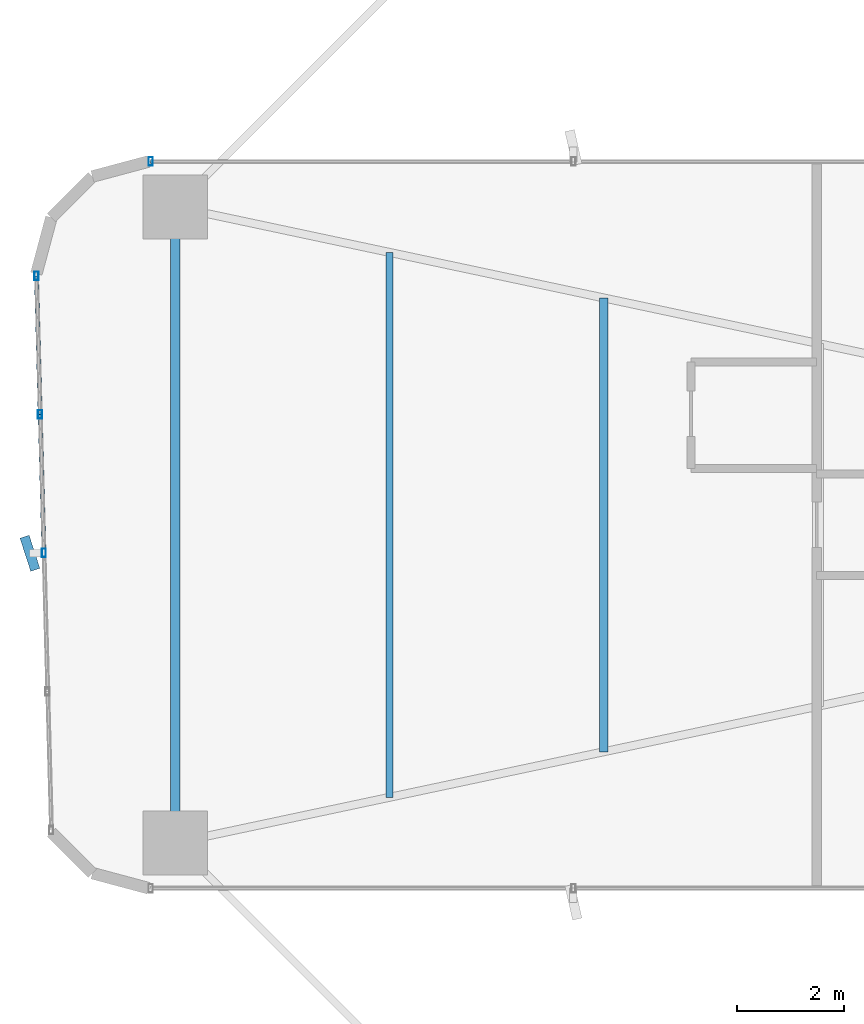
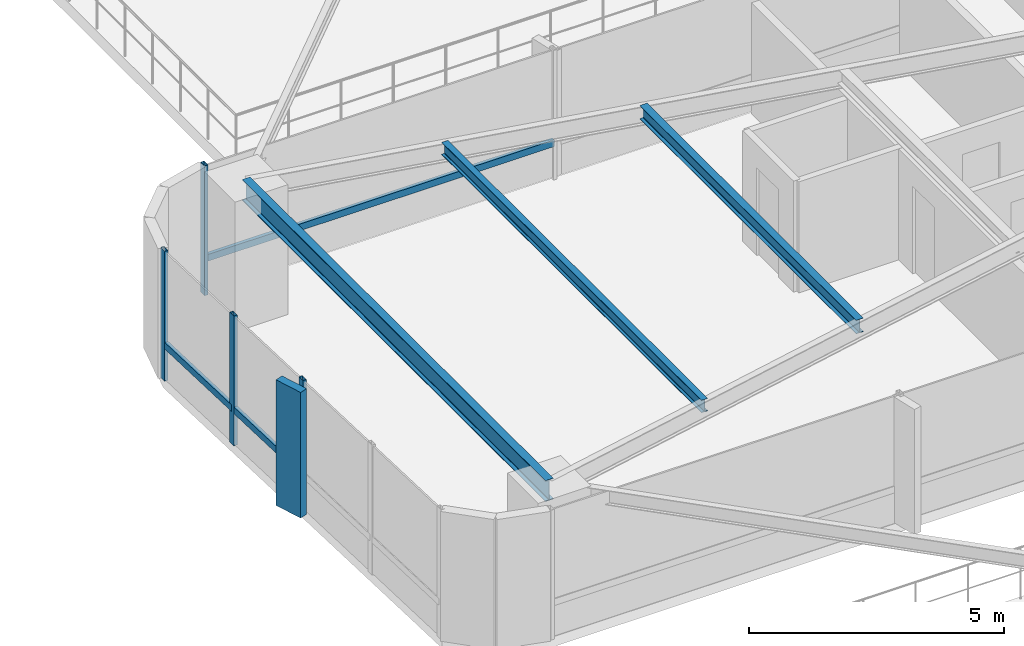
# One storey, part 7 of 27: 8 members, 3 beams, 2 elements without a shape of their own.
"""IFC4 building model written with IfcOpenShell, lengths in metres."""

from ifc_helpers import new_model, si_unit, direction, frame, origin, origin_2d, place, context, subcontext, project, spatial, rectangle, hollow_rectangle, i_section, extrude, source, transform, mapped, material, material_profile, profile_set, type_object, element, aggregate, save


model = new_model("IFC4")

# Units and contexts
model_context = context("Model", 3, precision=1e-05, world=origin(), true_north=direction((0.0, 1.0)))
body_context = subcontext(model_context, "Body", "Model", "MODEL_VIEW")
ifc_project = project(units=[si_unit("LENGTHUNIT", "METRE"), si_unit("AREAUNIT", "SQUARE_METRE"), si_unit("VOLUMEUNIT", "CUBIC_METRE"), si_unit("PLANEANGLEUNIT", "RADIAN"), si_unit("MASSUNIT", "GRAM", prefix="KILO")], contexts=[model_context])

# Site, building, storey
site_placement = place(None, origin())
site = spatial("IfcSite", under=ifc_project, at=site_placement, CompositionType="ELEMENT")
building_placement = place(site_placement, origin())
building = spatial("IfcBuilding", under=site, at=building_placement, Name="Sahyath Konkavel Grand Hotel", CompositionType="ELEMENT")
storey_placement = place(building_placement, frame((0.0, 0.0, 23.10009765625)))
storey = spatial("IfcBuildingStorey", under=building, at=storey_placement, Name="L05", CompositionType="ELEMENT", Elevation=23.10009765625)

# Beams
ifc_material_1 = material(Name="Steel E350", Category="steel")
ifc_material_profile_1 = material_profile(ifc_material_1, i_section(OverallWidth=0.179931640625, OverallDepth=0.5, WebThickness=0.01025390625, FlangeThickness=0.01708984375, FilletRadius=0.01708984375, at=origin_2d()), Name="ISMB 500")
ifc_profile_set_1 = profile_set([ifc_material_profile_1], Name="Steel E350")
beam_type_1 = type_object("IfcBeamType", Name="BM-ISMB500", PredefinedType="BEAM", material=ifc_profile_set_1)
shared_shape_1 = source(origin(), body_context, "Body", "SweptSolid", [
    extrude(i_section(OverallWidth=0.179931640625, OverallDepth=0.5, WebThickness=0.01025390625, FlangeThickness=0.01708984375, FilletRadius=0.01708984375, at=origin_2d()), origin(), (0.0, 0.0, 1.0), 11.89990234375),
])
beam_1_placement = place(storey_placement, frame((-22.199951171875, 5.949951171875, 2.85986328125), z_axis=(0.0, -1.0, 0.0), x_axis=(1.0, 0.0, 0.0)))
element("IfcBeam", 1, at=beam_1_placement, inside=storey, type_object=beam_type_1, Name="L05 Wing Tip Edge Beam W", PredefinedType="BEAM", context=body_context, shape_type="MappedRepresentation", body=[
    mapped(shared_shape_1, transform((0.0, 0.0, 0.0), scale=1.0)),
])
ifc_material_profile_2 = material_profile(ifc_material_1, i_section(OverallWidth=0.1650390625, OverallDepth=0.324951171875, WebThickness=0.007080078125, FlangeThickness=0.009765625, FilletRadius=0.014892578125, at=origin_2d()), Name="ISLB 325")
ifc_profile_set_2 = profile_set([ifc_material_profile_2], Name="Steel E350")
beam_type_2 = type_object("IfcBeamType", Name="BM-ISLB325", PredefinedType="BEAM", material=ifc_profile_set_2)
shared_shape_2 = source(origin(), body_context, "Body", "SweptSolid", [
    extrude(i_section(OverallWidth=0.1650390625, OverallDepth=0.324951171875, WebThickness=0.007080078125, FlangeThickness=0.009765625, FilletRadius=0.014892578125, at=origin_2d()), origin(), (0.0, 0.0, 1.0), 8.4921875),
])
beam_2_placement = place(storey_placement, frame((-14.18408203125, 4.24609375, 2.947509765625), z_axis=(0.0, -1.0, 0.0), x_axis=(1.0, 0.0, 0.0)))
element("IfcBeam", 2, at=beam_2_placement, inside=storey, type_object=beam_type_2, Name="L05 Secondary Floor Beam W-2", PredefinedType="BEAM", context=body_context, shape_type="MappedRepresentation", body=[
    mapped(shared_shape_2, transform((0.0, 0.0, 0.0), scale=1.0)),
])
ifc_material_profile_3 = material_profile(ifc_material_1, i_section(OverallWidth=0.139892578125, OverallDepth=0.300048828125, WebThickness=0.0078125, FlangeThickness=0.01318359375, FilletRadius=0.013916015625, at=origin_2d()), Name="ISMB 300")
ifc_profile_set_3 = profile_set([ifc_material_profile_3], Name="Steel E350")
beam_type_3 = type_object("IfcBeamType", Name="BM-ISMB300", PredefinedType="BEAM", material=ifc_profile_set_3)
shared_shape_3 = source(origin(), body_context, "Body", "SweptSolid", [
    extrude(i_section(OverallWidth=0.139892578125, OverallDepth=0.300048828125, WebThickness=0.0078125, FlangeThickness=0.01318359375, FilletRadius=0.013916015625, at=origin_2d()), origin(), (0.0, 0.0, 1.0), 10.19580078125),
])
beam_3_placement = place(storey_placement, frame((-18.19189453125, 5.097900390625, 2.9599609375), z_axis=(0.0, -1.0, 0.0), x_axis=(1.0, 0.0, 0.0)))
element("IfcBeam", 3, at=beam_3_placement, inside=storey, type_object=beam_type_3, Name="L05 Secondary Floor Beam W-3", PredefinedType="BEAM", context=body_context, shape_type="MappedRepresentation", body=[
    mapped(shared_shape_3, transform((0.0, 0.0, 0.0), scale=1.0)),
])

# Curtain wall, member
ifc_material_2 = material(Name="Anodised Bronze Aluminium & Low-E Glazing", Category="aluminium")
curtain_wall_type = type_object("IfcCurtainWallType", Name="CW-ZONE1", PredefinedType="NOTDEFINED", material=ifc_material_2)
curtain_wall_1_placement = place(storey_placement, origin())
curtain_wall_1 = element("IfcCurtainWall", 4, at=curtain_wall_1_placement, inside=storey, type_object=curtain_wall_type, Name="L05 Unitised Curtain Wall F16", PredefinedType="NOTDEFINED")
ifc_material_3 = material(Name="Anodised Bronze Aluminium", Category="aluminium")
ifc_material_profile_4 = material_profile(ifc_material_3, hollow_rectangle(XDim=0.080078125, YDim=0.159912109375, WallThickness=0.006103515625, at=origin_2d()), Name="RHS 160x80x6")
ifc_profile_set_4 = profile_set([ifc_material_profile_4], Name="Anodised Bronze Aluminium")
member_type_1 = type_object("IfcMemberType", Name="CW-MUL-160", PredefinedType="MULLION", material=ifc_profile_set_4)
shared_shape_4 = source(origin(), body_context, "Body", "SweptSolid", [
    extrude(hollow_rectangle(XDim=0.080078125, YDim=0.159912109375, WallThickness=0.006103515625, at=origin_2d()), origin(), (0.0, 0.0, 1.0), 3.10986328125),
])
member_1_placement = place(storey_placement, frame((-22.659912109375, 6.800048828125, 0.0), z_axis=(0.0, 0.0, 1.0), x_axis=(1.0, 0.0, 0.0)))
member_1 = element("IfcMember", 5, at=member_1_placement, type_object=member_type_1, Name="L05 Curtain Wall Mullion F16-2", PredefinedType="MULLION", context=body_context, shape_type="MappedRepresentation", body=[
    mapped(shared_shape_4, transform((0.0, 0.0, 0.0), scale=1.0)),
])

# Curtain wall, members
curtain_wall_2_placement = place(storey_placement, origin())
curtain_wall_2 = element("IfcCurtainWall", 6, at=curtain_wall_2_placement, inside=storey, type_object=curtain_wall_type, Name="L05 Unitised Curtain Wall F20", PredefinedType="NOTDEFINED")
member_2_placement = place(storey_placement, frame((-24.798828125, 4.659912109375, 0.0), z_axis=(0.0, 0.0, 1.0), x_axis=(1.0, 0.0, 0.0)))
member_2 = element("IfcMember", 7, at=member_2_placement, type_object=member_type_1, Name="L05 Curtain Wall Mullion F20-0", PredefinedType="MULLION", context=body_context, shape_type="MappedRepresentation", body=[
    mapped(shared_shape_4, transform((0.0, 0.0, 0.0), scale=1.0)),
])
member_3_placement = place(storey_placement, frame((-24.72900390625, 2.0673828125, 0.0), z_axis=(0.0, 0.0, 1.0), x_axis=(1.0, 0.0, 0.0)))
member_3 = element("IfcMember", 8, at=member_3_placement, type_object=member_type_1, Name="L05 Curtain Wall Mullion F20-1", PredefinedType="MULLION", context=body_context, shape_type="MappedRepresentation", body=[
    mapped(shared_shape_4, transform((0.0, 0.0, 0.0), scale=1.0)),
])
member_4_placement = place(storey_placement, frame((-24.6591796875, -0.52490234375, 0.0), z_axis=(0.0, 0.0, 1.0), x_axis=(1.0, 0.0, 0.0)))
member_4 = element("IfcMember", 9, at=member_4_placement, type_object=member_type_1, Name="L05 Curtain Wall Mullion F20-2", PredefinedType="MULLION", context=body_context, shape_type="MappedRepresentation", body=[
    mapped(shared_shape_4, transform((0.0, 0.0, 0.0), scale=1.0)),
])
ifc_material_4 = material(Name="Warm Buff Sandstone Cladding on Concrete C50/60", Category="masonry")
ifc_material_profile_5 = material_profile(ifc_material_4, rectangle(XDim=0.179931640625, YDim=0.64990234375, at=origin_2d()), Name="FIN 180x650")
ifc_profile_set_5 = profile_set([ifc_material_profile_5], Name="Warm Buff Sandstone Cladding on Concrete C50/60")
member_type_2 = type_object("IfcMemberType", Name="FIN-SANDSTONE-650", PredefinedType="MULLION", material=ifc_profile_set_5)
shared_shape_5 = source(origin(), body_context, "Body", "SweptSolid", [
    extrude(rectangle(XDim=0.179931640625, YDim=0.64990234375, at=origin_2d()), origin(), (0.0, 0.0, 1.0), 3.010009765625),
])
member_5_placement = place(storey_placement, frame((-24.919189453125, -0.531982421875, 0.0498046875), z_axis=(0.0, 0.0, 1.0), x_axis=(0.951056516295, 0.309016994375, 0.0)))
member_5 = element("IfcMember", 10, at=member_5_placement, type_object=member_type_2, Name="L05 Sandstone Vertical Solar Fin FIN F20-2", PredefinedType="MULLION", context=body_context, shape_type="MappedRepresentation", body=[
    mapped(shared_shape_5, transform((0.0, 0.0, 0.0), scale=1.0)),
])

# Member
ifc_material_profile_6 = material_profile(ifc_material_3, hollow_rectangle(XDim=0.080078125, YDim=0.159912109375, WallThickness=0.006103515625, at=origin_2d()), Name="RHS 160x80x6")
ifc_profile_set_6 = profile_set([ifc_material_profile_6], Name="Anodised Bronze Aluminium")
member_type_3 = type_object("IfcMemberType", Name="CW-TRN-160", PredefinedType="USERDEFINED", material=ifc_profile_set_6)
shared_shape_6 = source(origin(), body_context, "Body", "SweptSolid", [
    extrude(hollow_rectangle(XDim=0.080078125, YDim=0.159912109375, WallThickness=0.006103515625, at=origin_2d()), origin(), (0.0, 0.0, 1.0), 7.909912109375),
])
member_6_placement = place(storey_placement, frame((-14.75, 6.800048828125, 0.849853515625), z_axis=(-1.0, 0.0, 0.0), x_axis=(0.0, -1.0, 0.0)))
member_6 = element("IfcMember", 11, at=member_6_placement, type_object=member_type_3, Name="L05 Curtain Wall Transom F16-1-spandrel", ObjectType="TRANSOM", PredefinedType="USERDEFINED", context=body_context, shape_type="MappedRepresentation", body=[
    mapped(shared_shape_6, transform((0.0, 0.0, 0.0), scale=1.0)),
])

aggregate(curtain_wall_1, [member_1, member_6])

shared_shape_7 = source(origin(), body_context, "Body", "SweptSolid", [
    extrude(hollow_rectangle(XDim=0.080078125, YDim=0.159912109375, WallThickness=0.006103515625, at=origin_2d()), origin(), (0.0, 0.0, 1.0), 2.593505859375),
])
member_7_placement = place(storey_placement, frame((-24.798828125, 4.659912109375, 0.849853515625), z_axis=(0.026923093252, -0.999637507825, 0.0), x_axis=(0.999637507825, 0.026923093252, 0.0)))
member_7 = element("IfcMember", 12, at=member_7_placement, type_object=member_type_3, Name="L05 Curtain Wall Transom F20-0-spandrel", ObjectType="TRANSOM", PredefinedType="USERDEFINED", context=body_context, shape_type="MappedRepresentation", body=[
    mapped(shared_shape_7, transform((0.0, 0.0, 0.0), scale=1.0)),
])

shared_shape_8 = source(origin(), body_context, "Body", "SweptSolid", [
    extrude(hollow_rectangle(XDim=0.080078125, YDim=0.159912109375, WallThickness=0.006103515625, at=origin_2d()), origin(), (0.0, 0.0, 1.0), 2.59326171875),
])
member_8_placement = place(storey_placement, frame((-24.72900390625, 2.0673828125, 0.849853515625), z_axis=(0.026925627022, -0.99963743958, 0.0), x_axis=(0.99963743958, 0.026925627022, 0.0)))
member_8 = element("IfcMember", 13, at=member_8_placement, type_object=member_type_3, Name="L05 Curtain Wall Transom F20-1-spandrel", ObjectType="TRANSOM", PredefinedType="USERDEFINED", context=body_context, shape_type="MappedRepresentation", body=[
    mapped(shared_shape_8, transform((0.0, 0.0, 0.0), scale=1.0)),
])

aggregate(curtain_wall_2, [member_2, member_3, member_4, member_5, member_7, member_8])

save(model, "model.ifc")
